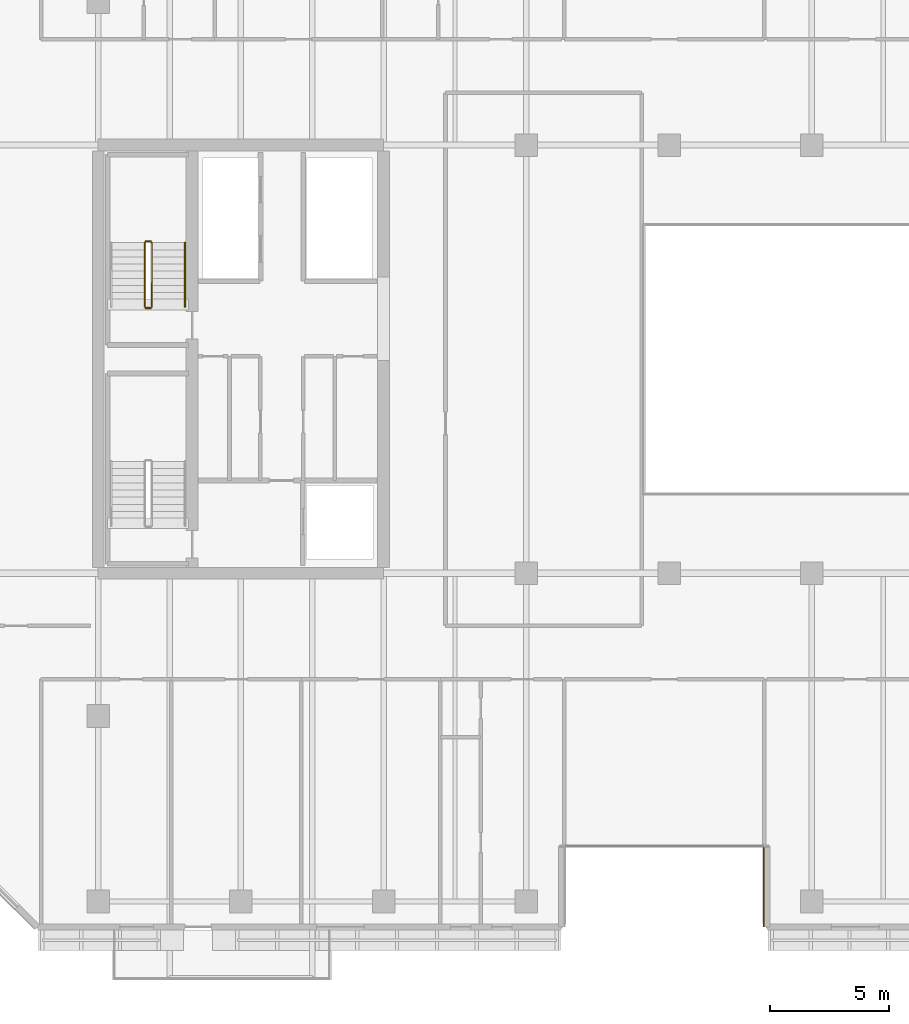
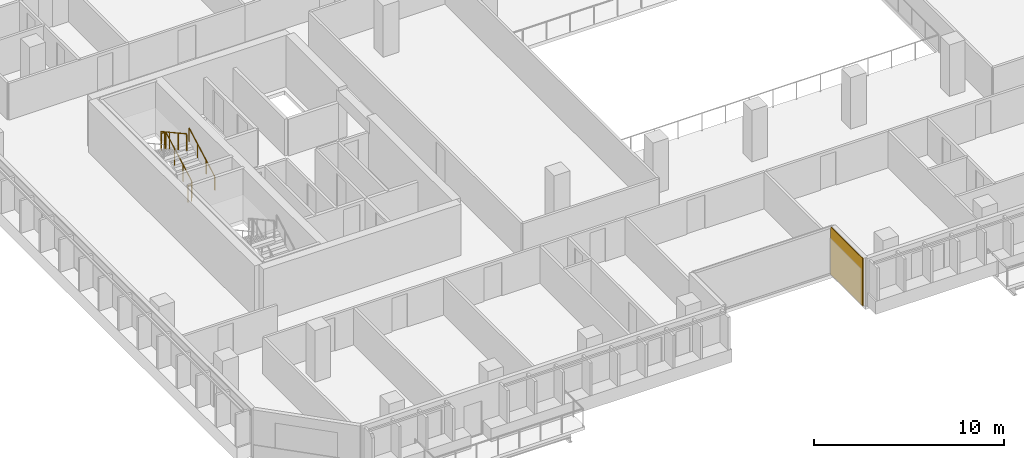
# One storey, part 20 of 23: 5 railings, 1 covering.
"""IFC4 building model written with IfcOpenShell, lengths in metres."""

from ifc_helpers import new_model, si_unit, direction, frame, origin, origin_2d, place, context, subcontext, project, spatial, rectangle, extrude, material, layer, layer_set, type_object, element, save


model = new_model("IFC4")

# Units and contexts
model_context = context("Model", 3, precision=1e-05, world=origin(), true_north=direction((0.0, 1.0)))
body_context = subcontext(model_context, "Body", "Model", "MODEL_VIEW")
ifc_project = project(units=[si_unit("LENGTHUNIT", "METRE"), si_unit("AREAUNIT", "SQUARE_METRE"), si_unit("VOLUMEUNIT", "CUBIC_METRE"), si_unit("PLANEANGLEUNIT", "RADIAN"), si_unit("MASSUNIT", "GRAM", prefix="KILO")], contexts=[model_context])

# Site, building, storey
site_placement = place(None, origin())
site = spatial("IfcSite", under=ifc_project, at=site_placement, CompositionType="ELEMENT")
building_placement = place(site_placement, origin())
building = spatial("IfcBuilding", under=site, at=building_placement, Name="Tanjung Sevakor Pilgrim Tower", CompositionType="ELEMENT")
storey_placement = place(building_placement, frame((0.0, 0.0, 105.27001953125)))
storey = spatial("IfcBuildingStorey", under=building, at=storey_placement, Name="L29", CompositionType="ELEMENT", Elevation=105.27001953125)

# Covering
ifc_material_1 = material(Name="Reconstructed Limestone Cladding", Category="masonry")
ifc_layer = layer(ifc_material_1, 0.044921875)
ifc_layer_set = layer_set([ifc_layer], Name="COV-CLAD-LIMESTONE")
covering_type = type_object("IfcCoveringType", Name="COV-CLAD-LIMESTONE", PredefinedType="CLADDING", material=ifc_layer_set)
covering_placement = place(storey_placement, frame((51.9775390625, 11.425048828125, 0.02001953125), z_axis=(0.0, 0.0, 1.0), x_axis=(0.0, -1.0, 0.0)))
element("IfcCovering", 1, at=covering_placement, inside=storey, type_object=covering_type, Name="L29 Warm Limestone Wall Cladding EW-L29-MAIN-4", PredefinedType="CLADDING", context=body_context, shape_type="SweptSolid", body=[
    extrude(rectangle(XDim=3.360107421875, YDim=0.044921875, at=origin_2d()), origin(), (0.0, 0.0, 1.0), 3.0400390625),
])

# Railings
ifc_material_2 = material(Name="Steel S355J2", Category="steel")
railing_type_1 = type_object("IfcRailingType", Name="RL-STAIR-GUARD", PredefinedType="GUARDRAIL", material=ifc_material_2)
railing_1_placement = place(storey_placement, frame((26.25, 35.800048828125, 0.1650390625)))
element("IfcRailing", 2, at=railing_1_placement, inside=storey, type_object=railing_type_1, Name="L29 TS-W2 stair guard 1", PredefinedType="GUARDRAIL", context=body_context, shape_type="SweptSolid", body=[
    extrude(rectangle(XDim=0.0479, YDim=0.0479), frame((0.0, 0.0, 1.076171875), z_axis=(0.0, 0.876230963923, 0.481891375584), x_axis=(-1.0, 0.0, 0.0)), (0.0, 0.0, 1.0), 3.081298828125),
    extrude(rectangle(XDim=0.042, YDim=0.042), origin(), (0.0, 0.0, 1.0), 1.052001953125),
    extrude(rectangle(XDim=0.042, YDim=0.042), frame((0.0, 0.89990234375, 0.494873046875)), (0.0, 0.0, 1.0), 1.052001953125),
    extrude(rectangle(XDim=0.042, YDim=0.042), frame((0.0, 1.800048828125, 0.989990234375)), (0.0, 0.0, 1.0), 1.052001953125),
    extrude(rectangle(XDim=0.042, YDim=0.042), frame((0.0, 2.699951171875, 1.48486328125)), (0.0, 0.0, 1.0), 1.052001953125),
])
railing_2_placement = place(storey_placement, frame((26.199951171875, 38.550048828125, 1.64990234375)))
element("IfcRailing", 3, at=railing_2_placement, inside=storey, type_object=railing_type_1, Name="L29 TS-W2 stair guard 2", PredefinedType="GUARDRAIL", context=body_context, shape_type="SweptSolid", body=[
    extrude(rectangle(XDim=0.0479, YDim=0.0479), frame((0.0, 0.0, 1.076171875), z_axis=(-1.0, 0.0, 0.0), x_axis=(0.0, -1.0, 0.0)), (0.0, 0.0, 1.0), 0.199951171875),
    extrude(rectangle(XDim=0.042, YDim=0.042), origin(), (0.0, 0.0, 1.0), 1.052001953125),
    extrude(rectangle(XDim=0.042, YDim=0.042), frame((-0.199951171875, 0.0, 0.0)), (0.0, 0.0, 1.0), 1.052001953125),
])
railing_3_placement = place(storey_placement, frame((25.949951171875, 38.5, 1.81494140625)))
element("IfcRailing", 4, at=railing_3_placement, inside=storey, type_object=railing_type_1, Name="L29 TS-W2 stair guard 3", PredefinedType="GUARDRAIL", context=body_context, shape_type="SweptSolid", body=[
    extrude(rectangle(XDim=0.0479, YDim=0.0479), frame((0.0, 0.0, 1.076171875), z_axis=(0.0, -0.876197507361, 0.481952205197), x_axis=(1.0, 0.0, 0.0)), (0.0, 0.0, 1.0), 3.08154296875),
    extrude(rectangle(XDim=0.042, YDim=0.042), origin(), (0.0, 0.0, 1.0), 1.052001953125),
    extrude(rectangle(XDim=0.042, YDim=0.042), frame((0.0, -0.89990234375, 0.4951171875)), (0.0, 0.0, 1.0), 1.052001953125),
    extrude(rectangle(XDim=0.042, YDim=0.042), frame((0.0, -1.800048828125, 0.989990234375)), (0.0, 0.0, 1.0), 1.052001953125),
    extrude(rectangle(XDim=0.042, YDim=0.042), frame((0.0, -2.699951171875, 1.485107421875)), (0.0, 0.0, 1.0), 1.052001953125),
])
railing_4_placement = place(storey_placement, frame((26.199951171875, 35.75, 0.0)))
element("IfcRailing", 5, at=railing_4_placement, inside=storey, type_object=railing_type_1, Name="L29 TS-W2 stair guard 4", PredefinedType="GUARDRAIL", context=body_context, shape_type="SweptSolid", body=[
    extrude(rectangle(XDim=0.0479, YDim=0.0479), frame((0.0, 0.0, 1.076171875), z_axis=(-1.0, 0.0, 0.0), x_axis=(0.0, -1.0, 0.0)), (0.0, 0.0, 1.0), 0.199951171875),
    extrude(rectangle(XDim=0.042, YDim=0.042), origin(), (0.0, 0.0, 1.0), 1.052001953125),
    extrude(rectangle(XDim=0.042, YDim=0.042), frame((-0.199951171875, 0.0, 0.0)), (0.0, 0.0, 1.0), 1.052001953125),
])
ifc_material_3 = material(Name="Steel S355J2", Category="steel")
railing_type_2 = type_object("IfcRailingType", Name="RL-STAIR-HAND", PredefinedType="HANDRAIL", material=ifc_material_3)
railing_5_placement = place(storey_placement, frame((27.64990234375, 35.800048828125, 0.1650390625)))
element("IfcRailing", 6, at=railing_5_placement, inside=storey, type_object=railing_type_2, Name="L29 TS-W2 stair handrail 1", PredefinedType="HANDRAIL", context=body_context, shape_type="SweptSolid", body=[
    extrude(rectangle(XDim=0.0479, YDim=0.0479), frame((0.0, 0.0, 0.8759765625), z_axis=(0.0, 0.876230963923, 0.481891375584), x_axis=(-1.0, 0.0, 0.0)), (0.0, 0.0, 1.0), 3.081298828125),
    extrude(rectangle(XDim=0.042, YDim=0.042), origin(), (0.0, 0.0, 1.0), 0.851806640625),
    extrude(rectangle(XDim=0.042, YDim=0.042), frame((0.0, 0.89990234375, 0.494873046875)), (0.0, 0.0, 1.0), 0.851806640625),
    extrude(rectangle(XDim=0.042, YDim=0.042), frame((0.0, 1.800048828125, 0.989990234375)), (0.0, 0.0, 1.0), 0.851806640625),
    extrude(rectangle(XDim=0.042, YDim=0.042), frame((0.0, 2.699951171875, 1.48486328125)), (0.0, 0.0, 1.0), 0.851806640625),
])

save(model, "model.ifc")
